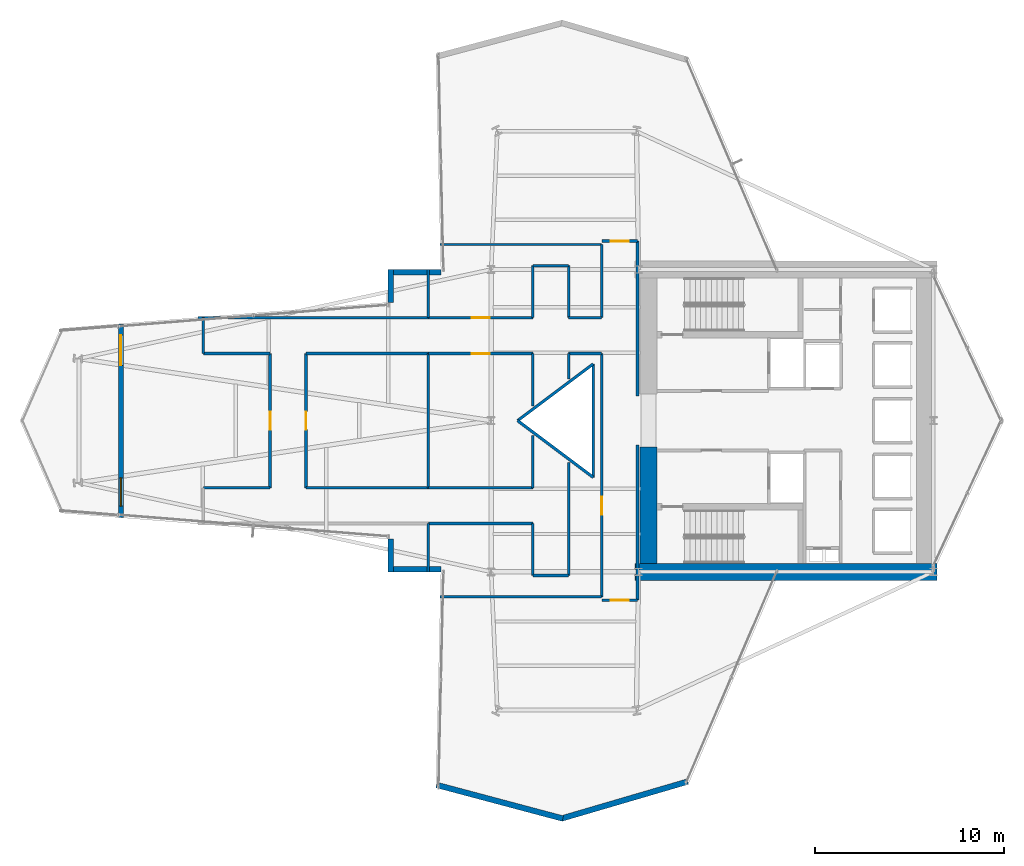
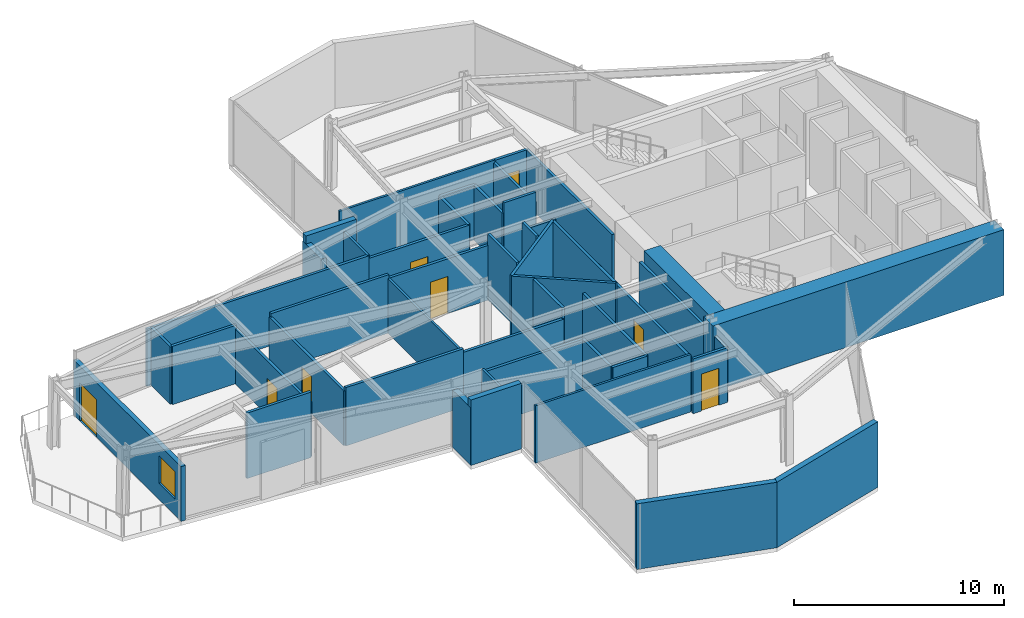
# One storey, part 23 of 27: 46 walls, 8 doors, 1 window, 9 openings.
"""IFC4 building model written with IfcOpenShell, lengths in metres."""

from ifc_helpers import new_model, si_unit, direction, frame, frame_2d, origin, place, context, subcontext, project, spatial, rectangle, extrude, material, layer, layer_set, type_object, element, fill, save


model = new_model("IFC4")

# Units and contexts
model_context = context("Model", 3, precision=1e-05, world=origin(), true_north=direction((0.0, 1.0)))
body_context = subcontext(model_context, "Body", "Model", "MODEL_VIEW")
ifc_project = project(units=[si_unit("LENGTHUNIT", "METRE"), si_unit("AREAUNIT", "SQUARE_METRE"), si_unit("VOLUMEUNIT", "CUBIC_METRE"), si_unit("PLANEANGLEUNIT", "RADIAN"), si_unit("MASSUNIT", "GRAM", prefix="KILO")], contexts=[model_context])

# Site, building, storey
site_placement = place(None, origin())
site = spatial("IfcSite", under=ifc_project, at=site_placement, CompositionType="ELEMENT")
building_placement = place(site_placement, origin())
building = spatial("IfcBuilding", under=site, at=building_placement, Name="Veymaron Broadcast Tower", CompositionType="ELEMENT")
storey_placement = place(building_placement, frame((0.0, 0.0, 86.39990234375)))
storey = spatial("IfcBuildingStorey", under=building, at=storey_placement, Name="L19", CompositionType="ELEMENT", Elevation=86.39990234375)

# Wall, openings, door, window
ifc_material_1 = material(Name="Precast concrete C40/50", Category="concrete")
ifc_layer_1 = layer(ifc_material_1, 0.25)
ifc_layer_set_1 = layer_set([ifc_layer_1], Name="Precast concrete C40/50")
wall_type_1 = type_object("IfcWallType", Name="WALL-EXT-250", PredefinedType="STANDARD", material=ifc_layer_set_1)
wall_1_placement = place(storey_placement, frame((11.60400390625, 29.125732421875, 0.0), z_axis=(0.0, 0.0, 1.0), x_axis=(0.0, -1.0, 0.0)))
wall_1 = element("IfcWall", 1, at=wall_1_placement, inside=storey, type_object=wall_type_1, Name="L19 sky-terrace threshold wall", PredefinedType="STANDARD", context=body_context, shape_type="SweptSolid", body=[
    extrude(rectangle(XDim=10.25146484375, YDim=0.25, at=frame_2d((5.125732421875, 0.0))), origin(), (0.0, 0.0, 1.0), 3.18115234375),
])
opening_1_placement = place(wall_1_placement, frame((0.60009765625, 0.0, 0.0)))
opening_1 = element("IfcOpeningElement", 2, at=opening_1_placement, cuts=wall_1, Name="Opening ED-TR1", PredefinedType="OPENING", context=body_context, shape_type="SweptSolid", body=[
    extrude(rectangle(XDim=1.60009765625, YDim=2.199951171875, at=frame_2d((0.800048828125, 1.10009765625))), frame((0.0, 0.135009765625, 0.0), z_axis=(0.0, -1.0, 0.0), x_axis=(1.0, 0.0, 0.0)), (0.0, 0.0, 1.0), 0.27001953125),
])
opening_2_placement = place(wall_1_placement, frame((8.152099609375, 0.0, 0.949951171875)))
opening_2 = element("IfcOpeningElement", 3, at=opening_2_placement, cuts=wall_1, Name="Opening WN2", PredefinedType="OPENING", context=body_context, shape_type="SweptSolid", body=[
    extrude(rectangle(XDim=1.5, YDim=1.60009765625, at=frame_2d((0.75, 0.800048828125))), frame((0.0, 0.135009765625, 0.0), z_axis=(0.0, -1.0, 0.0), x_axis=(1.0, 0.0, 0.0)), (0.0, 0.0, 1.0), 0.27001953125),
])
ifc_material_2 = material(Name="Thermally broken aluminium and low-E safety glass", Category="aluminium")
door_type_1 = type_object("IfcDoorType", Name="DOOR-TERR-1600", OperationType="DOUBLE_DOOR_SINGLE_SWING", PredefinedType="DOOR", material=ifc_material_2)
door_1_placement = place(opening_1_placement, frame((1.60009765625, 0.0, 0.0), z_axis=(0.0, 0.0, 1.0), x_axis=(-1.0, 0.0, 0.0)))
door_1 = element("IfcDoor", 4, at=door_1_placement, inside=storey, type_object=door_type_1, Name="L19 sky-terrace access door", OperationType="SINGLE_SWING_LEFT", OverallHeight=2.199951171875, OverallWidth=1.60009765625, PredefinedType="DOOR", context=body_context, shape_type="SweptSolid", body=[
    extrude(rectangle(XDim=1.60009765625, YDim=2.199951171875, at=frame_2d((0.800048828125, 1.10009765625))), frame((0.0, 0.02490234375, 0.0), z_axis=(0.0, -1.0, 0.0), x_axis=(1.0, 0.0, 0.0)), (0.0, 0.0, 1.0), 0.050048828125),
])
fill(opening_1, door_1)
ifc_material_3 = material(Name="Thermally broken aluminium and acoustic laminated glass", Category="aluminium")
window_type = type_object("IfcWindowType", Name="WIN-EXT-1500", PartitioningType="SINGLE_PANEL", PredefinedType="WINDOW", material=ifc_material_3)
window_placement = place(opening_2_placement, origin())
window = element("IfcWindow", 5, at=window_placement, inside=storey, type_object=window_type, Name="L19 sky-terrace viewing window", OverallHeight=1.60009765625, OverallWidth=1.5, PartitioningType="SINGLE_PANEL", PredefinedType="WINDOW", context=body_context, shape_type="SweptSolid", body=[
    extrude(rectangle(XDim=1.5, YDim=1.60009765625, at=frame_2d((0.75, 0.800048828125))), frame((0.0, 0.030029296875, 0.0), z_axis=(0.0, -1.0, 0.0), x_axis=(1.0, 0.0, 0.0)), (0.0, 0.0, 1.0), 0.06005859375),
])
fill(opening_2, window)

# Walls
ifc_material_4 = material(Name="Precast concrete C40/50 with mineral-wool insulation", Category="concrete")
ifc_layer_2 = layer(ifc_material_4, 0.300048828125)
ifc_layer_set_2 = layer_set([ifc_layer_2], Name="Precast concrete C40/50 with mineral-wool insulation")
wall_type_2 = type_object("IfcWallType", Name="WALL-EXT-300", PredefinedType="STANDARD", material=ifc_layer_set_2)
wall_2_placement = place(storey_placement, frame((28.53369140625, 31.860107421875, 0.0), z_axis=(0.0, 0.0, 1.0), x_axis=(-1.0, 0.0, 0.0)))
element("IfcWall", 6, at=wall_2_placement, inside=storey, type_object=wall_type_2, Name="L19 notched corner facade pier 10-1", PredefinedType="STANDARD", context=body_context, shape_type="SweptSolid", body=[
    extrude(rectangle(XDim=2.78173828125, YDim=0.300048828125, at=frame_2d((1.390869140625, 0.0))), origin(), (0.0, 0.0, 1.0), 3.81005859375),
])
for number, where, z_axis, x_axis, name in (
    (7, (25.89208984375, 32.0, 0.0), (0.0, 0.0, 1.0), (0.0, -1.0, 0.0), "L19 notched corner facade pier 11-1"),
    (8, (25.89208984375, 17.736083984375, 0.0), (0.0, 0.0, 1.0), (0.0, -1.0, 0.0), "L19 notched corner facade pier 15-1"),
):
    element("IfcWall", number, at=place(storey_placement, frame(where, z_axis=z_axis, x_axis=x_axis)), inside=storey, type_object=wall_type_2, Name=name, PredefinedType="STANDARD", context=body_context, shape_type="SweptSolid", body=[
        extrude(rectangle(XDim=1.736083984375, YDim=0.300048828125, at=frame_2d((0.8681640625, 0.0))), origin(), (0.0, 0.0, 1.0), 3.338134765625),
    ])
wall_3_placement = place(storey_placement, frame((25.751953125, 16.139892578125, 0.0), z_axis=(0.0, 0.0, 1.0), x_axis=(1.0, 0.0, 0.0)))
element("IfcWall", 9, at=wall_3_placement, inside=storey, type_object=wall_type_2, Name="L19 notched corner facade pier 16-1", PredefinedType="STANDARD", context=body_context, shape_type="SweptSolid", body=[
    extrude(rectangle(XDim=2.78173828125, YDim=0.300048828125, at=frame_2d((1.390869140625, 0.0))), origin(), (0.0, 0.0, 1.0), 3.81005859375),
])
wall_4_placement = place(storey_placement, frame((28.309814453125, 4.72119140625, 0.0), z_axis=(0.0, 0.0, 1.0), x_axis=(0.966292357614, -0.257447236569, 0.0)))
element("IfcWall", 10, at=wall_4_placement, inside=storey, type_object=wall_type_2, Name="L19 notched corner facade pier 18-1", PredefinedType="STANDARD", context=body_context, shape_type="SweptSolid", body=[
    extrude(rectangle(XDim=6.9130859375, YDim=0.300048828125, at=frame_2d((3.45654296875, 0.0))), origin(), (0.0, 0.0, 1.0), 3.81005859375),
])
wall_5_placement = place(storey_placement, frame((34.91455078125, 2.940185546875, 0.0), z_axis=(0.0, 0.0, 1.0), x_axis=(0.959627564603, 0.281273776336, 0.0)))
element("IfcWall", 11, at=wall_5_placement, inside=storey, type_object=wall_type_2, Name="L19 notched corner facade pier 19-1", PredefinedType="STANDARD", context=body_context, shape_type="SweptSolid", body=[
    extrude(rectangle(XDim=6.961181640625, YDim=0.300048828125, at=frame_2d((3.48046875, 0.0))), origin(), (0.0, 0.0, 1.0), 3.81005859375),
])

# Wall, opening, door
ifc_material_5 = material(Name="Gypsum fireboard and steel stud framing", Category="steel")
ifc_layer_3 = layer(ifc_material_5, 0.14990234375)
ifc_layer_set_3 = layer_set([ifc_layer_3], Name="Gypsum fireboard and steel stud framing")
wall_type_3 = type_object("IfcWallType", Name="WALL-FIRE-150", PredefinedType="PARTITIONING", material=ifc_layer_set_3)
wall_6_placement = place(storey_placement, frame((37.06396484375, 14.5, 0.0), z_axis=(0.0, 0.0, 1.0), x_axis=(1.0, 0.0, 0.0)))
wall_6 = element("IfcWall", 12, at=wall_6_placement, inside=storey, type_object=wall_type_3, Name="L19 partition IW-L19-P02", PredefinedType="PARTITIONING", context=body_context, shape_type="SweptSolid", body=[
    extrude(rectangle(XDim=1.885986328125, YDim=0.14990234375, at=frame_2d((0.94287109375, 0.0))), origin(), (0.0, 0.0, 1.0), 3.18115234375),
])
opening_3_placement = place(wall_6_placement, frame((0.468017578125, 0.0, 0.0)))
opening_3 = element("IfcOpeningElement", 13, at=opening_3_placement, cuts=wall_6, Name="Opening ID-RM1", PredefinedType="OPENING", context=body_context, shape_type="SweptSolid", body=[
    extrude(rectangle(XDim=0.949951171875, YDim=2.14990234375, at=frame_2d((0.47509765625, 1.074951171875))), frame((0.0, 0.0849609375, 0.0), z_axis=(0.0, -1.0, 0.0), x_axis=(1.0, 0.0, 0.0)), (0.0, 0.0, 1.0), 0.169921875),
])
ifc_material_6 = material(Name="Acoustic solid-core European oak veneer timber", Category="wood")
door_type_2 = type_object("IfcDoorType", Name="DOOR-INT-950", OperationType="NOTDEFINED", PredefinedType="DOOR", material=ifc_material_6)
door_2_placement = place(opening_3_placement, frame((0.949951171875, 0.0, 0.0), z_axis=(0.0, 0.0, 1.0), x_axis=(-1.0, 0.0, 0.0)))
door_2 = element("IfcDoor", 14, at=door_2_placement, inside=storey, type_object=door_type_2, Name="L19 door DR-L19-P02", OperationType="SINGLE_SWING_LEFT", OverallHeight=2.14990234375, OverallWidth=0.949951171875, PredefinedType="DOOR", context=body_context, shape_type="SweptSolid", body=[
    extrude(rectangle(XDim=0.949951171875, YDim=2.14990234375, at=frame_2d((0.47509765625, 1.074951171875))), frame((0.0, 0.02490234375, 0.0), z_axis=(0.0, -1.0, 0.0), x_axis=(1.0, 0.0, 0.0)), (0.0, 0.0, 1.0), 0.050048828125),
])
fill(opening_3, door_2)

wall_7_placement = place(storey_placement, frame((37.050048828125, 14.675048828125, 0.0), z_axis=(0.0, 0.0, 1.0), x_axis=(0.0, 1.0, 0.0)))
wall_7 = element("IfcWall", 15, at=wall_7_placement, inside=storey, type_object=wall_type_3, Name="L19 partition IW-L19-P03", PredefinedType="PARTITIONING", context=body_context, shape_type="SweptSolid", body=[
    extrude(rectangle(XDim=12.875, YDim=0.14990234375, at=frame_2d((6.4375, 0.0))), origin(), (0.0, 0.0, 1.0), 3.18115234375),
])
opening_4_placement = place(wall_7_placement, frame((4.342529296875, 0.0, 0.0)))
opening_4 = element("IfcOpeningElement", 16, at=opening_4_placement, cuts=wall_7, Name="Opening ID-RM1", PredefinedType="OPENING", context=body_context, shape_type="SweptSolid", body=[
    extrude(rectangle(XDim=0.949951171875, YDim=2.14990234375, at=frame_2d((0.47509765625, 1.074951171875))), frame((0.0, 0.0849609375, 0.0), z_axis=(0.0, -1.0, 0.0), x_axis=(1.0, 0.0, 0.0)), (0.0, 0.0, 1.0), 0.169921875),
])
door_3_placement = place(opening_4_placement, frame((0.949951171875, 0.0, 0.0), z_axis=(0.0, 0.0, 1.0), x_axis=(-1.0, 0.0, 0.0)))
door_3 = element("IfcDoor", 17, at=door_3_placement, inside=storey, type_object=door_type_2, Name="L19 door DR-L19-P03", OperationType="SINGLE_SWING_RIGHT", OverallHeight=2.14990234375, OverallWidth=0.949951171875, PredefinedType="DOOR", context=body_context, shape_type="SweptSolid", body=[
    extrude(rectangle(XDim=0.949951171875, YDim=2.14990234375, at=frame_2d((0.47509765625, 1.074951171875))), frame((0.0, 0.02490234375, 0.0), z_axis=(0.0, -1.0, 0.0), x_axis=(1.0, 0.0, 0.0)), (0.0, 0.0, 1.0), 0.050048828125),
])
fill(opening_4, door_3)

wall_8_placement = place(storey_placement, frame((19.5, 20.449951171875, 0.0), z_axis=(0.0, 0.0, 1.0), x_axis=(0.0, 1.0, 0.0)))
wall_8 = element("IfcWall", 18, at=wall_8_placement, inside=storey, type_object=wall_type_3, Name="L19 partition IW-L19-P12", PredefinedType="PARTITIONING", context=body_context, shape_type="SweptSolid", body=[
    extrude(rectangle(XDim=7.10009765625, YDim=0.14990234375, at=frame_2d((3.550048828125, 0.0))), origin(), (0.0, 0.0, 1.0), 3.18115234375),
])
opening_5_placement = place(wall_8_placement, frame((3.074951171875, 0.0, 0.0)))
opening_5 = element("IfcOpeningElement", 19, at=opening_5_placement, cuts=wall_8, Name="Opening ID-RM1", PredefinedType="OPENING", context=body_context, shape_type="SweptSolid", body=[
    extrude(rectangle(XDim=0.949951171875, YDim=2.14990234375, at=frame_2d((0.47509765625, 1.074951171875))), frame((0.0, 0.0849609375, 0.0), z_axis=(0.0, -1.0, 0.0), x_axis=(1.0, 0.0, 0.0)), (0.0, 0.0, 1.0), 0.169921875),
])
door_4_placement = place(opening_5_placement, origin())
door_4 = element("IfcDoor", 20, at=door_4_placement, inside=storey, type_object=door_type_2, Name="L19 door DR-L19-P12", OperationType="SINGLE_SWING_LEFT", OverallHeight=2.14990234375, OverallWidth=0.949951171875, PredefinedType="DOOR", context=body_context, shape_type="SweptSolid", body=[
    extrude(rectangle(XDim=0.949951171875, YDim=2.14990234375, at=frame_2d((0.47509765625, 1.074951171875))), frame((0.0, 0.02490234375, 0.0), z_axis=(0.0, -1.0, 0.0), x_axis=(1.0, 0.0, 0.0)), (0.0, 0.0, 1.0), 0.050048828125),
])
fill(opening_5, door_4)

wall_9_placement = place(storey_placement, frame((21.39990234375, 20.449951171875, 0.0), z_axis=(0.0, 0.0, 1.0), x_axis=(0.0, 1.0, 0.0)))
wall_9 = element("IfcWall", 21, at=wall_9_placement, inside=storey, type_object=wall_type_3, Name="L19 partition IW-L19-P17", PredefinedType="PARTITIONING", context=body_context, shape_type="SweptSolid", body=[
    extrude(rectangle(XDim=7.10009765625, YDim=0.14990234375, at=frame_2d((3.550048828125, 0.0))), origin(), (0.0, 0.0, 1.0), 3.18115234375),
])
opening_6_placement = place(wall_9_placement, frame((3.074951171875, 0.0, 0.0)))
opening_6 = element("IfcOpeningElement", 22, at=opening_6_placement, cuts=wall_9, Name="Opening ID-RM1", PredefinedType="OPENING", context=body_context, shape_type="SweptSolid", body=[
    extrude(rectangle(XDim=0.949951171875, YDim=2.14990234375, at=frame_2d((0.47509765625, 1.074951171875))), frame((0.0, 0.0849609375, 0.0), z_axis=(0.0, -1.0, 0.0), x_axis=(1.0, 0.0, 0.0)), (0.0, 0.0, 1.0), 0.169921875),
])
door_5_placement = place(opening_6_placement, frame((0.949951171875, 0.0, 0.0), z_axis=(0.0, 0.0, 1.0), x_axis=(-1.0, 0.0, 0.0)))
door_5 = element("IfcDoor", 23, at=door_5_placement, inside=storey, type_object=door_type_2, Name="L19 door DR-L19-P17", OperationType="SINGLE_SWING_RIGHT", OverallHeight=2.14990234375, OverallWidth=0.949951171875, PredefinedType="DOOR", context=body_context, shape_type="SweptSolid", body=[
    extrude(rectangle(XDim=0.949951171875, YDim=2.14990234375, at=frame_2d((0.47509765625, 1.074951171875))), frame((0.0, 0.02490234375, 0.0), z_axis=(0.0, -1.0, 0.0), x_axis=(1.0, 0.0, 0.0)), (0.0, 0.0, 1.0), 0.050048828125),
])
fill(opening_6, door_5)

wall_10_placement = place(storey_placement, frame((27.8740234375, 27.550048828125, 0.0), z_axis=(0.0, 0.0, 1.0), x_axis=(1.0, 0.0, 0.0)))
wall_10 = element("IfcWall", 24, at=wall_10_placement, inside=storey, type_object=wall_type_3, Name="L19 partition IW-L19-P20", PredefinedType="PARTITIONING", context=body_context, shape_type="SweptSolid", body=[
    extrude(rectangle(XDim=5.52587890625, YDim=0.14990234375, at=frame_2d((2.762939453125, 0.0))), origin(), (0.0, 0.0, 1.0), 3.18115234375),
])
opening_7_placement = place(wall_10_placement, frame((2.2880859375, 0.0, 0.0)))
opening_7 = element("IfcOpeningElement", 25, at=opening_7_placement, cuts=wall_10, Name="Opening ID-RM1", PredefinedType="OPENING", context=body_context, shape_type="SweptSolid", body=[
    extrude(rectangle(XDim=0.949951171875, YDim=2.14990234375, at=frame_2d((0.47509765625, 1.074951171875))), frame((0.0, 0.0849609375, 0.0), z_axis=(0.0, -1.0, 0.0), x_axis=(1.0, 0.0, 0.0)), (0.0, 0.0, 1.0), 0.169921875),
])
door_6_placement = place(opening_7_placement, frame((0.949951171875, 0.0, 0.0), z_axis=(0.0, 0.0, 1.0), x_axis=(-1.0, 0.0, 0.0)))
door_6 = element("IfcDoor", 26, at=door_6_placement, inside=storey, type_object=door_type_2, Name="L19 door DR-L19-P20", OperationType="SINGLE_SWING_LEFT", OverallHeight=2.14990234375, OverallWidth=0.949951171875, PredefinedType="DOOR", context=body_context, shape_type="SweptSolid", body=[
    extrude(rectangle(XDim=0.949951171875, YDim=2.14990234375, at=frame_2d((0.47509765625, 1.074951171875))), frame((0.0, 0.02490234375, 0.0), z_axis=(0.0, -1.0, 0.0), x_axis=(1.0, 0.0, 0.0)), (0.0, 0.0, 1.0), 0.050048828125),
])
fill(opening_7, door_6)

wall_11_placement = place(storey_placement, frame((27.8740234375, 29.449951171875, 0.0), z_axis=(0.0, 0.0, 1.0), x_axis=(1.0, 0.0, 0.0)))
wall_11 = element("IfcWall", 27, at=wall_11_placement, inside=storey, type_object=wall_type_3, Name="L19 partition IW-L19-P24", PredefinedType="PARTITIONING", context=body_context, shape_type="SweptSolid", body=[
    extrude(rectangle(XDim=5.52587890625, YDim=0.14990234375, at=frame_2d((2.762939453125, 0.0))), origin(), (0.0, 0.0, 1.0), 3.18115234375),
])
opening_8_placement = place(wall_11_placement, frame((2.2880859375, 0.0, 0.0)))
opening_8 = element("IfcOpeningElement", 28, at=opening_8_placement, cuts=wall_11, Name="Opening ID-RM1", PredefinedType="OPENING", context=body_context, shape_type="SweptSolid", body=[
    extrude(rectangle(XDim=0.949951171875, YDim=2.14990234375, at=frame_2d((0.47509765625, 1.074951171875))), frame((0.0, 0.0849609375, 0.0), z_axis=(0.0, -1.0, 0.0), x_axis=(1.0, 0.0, 0.0)), (0.0, 0.0, 1.0), 0.169921875),
])
door_7_placement = place(opening_8_placement, origin())
door_7 = element("IfcDoor", 29, at=door_7_placement, inside=storey, type_object=door_type_2, Name="L19 door DR-L19-P24", OperationType="SINGLE_SWING_LEFT", OverallHeight=2.14990234375, OverallWidth=0.949951171875, PredefinedType="DOOR", context=body_context, shape_type="SweptSolid", body=[
    extrude(rectangle(XDim=0.949951171875, YDim=2.14990234375, at=frame_2d((0.47509765625, 1.074951171875))), frame((0.0, 0.02490234375, 0.0), z_axis=(0.0, -1.0, 0.0), x_axis=(1.0, 0.0, 0.0)), (0.0, 0.0, 1.0), 0.050048828125),
])
fill(opening_8, door_7)

wall_12_placement = place(storey_placement, frame((37.06396484375, 33.5, 0.0), z_axis=(0.0, 0.0, 1.0), x_axis=(1.0, 0.0, 0.0)))
wall_12 = element("IfcWall", 30, at=wall_12_placement, inside=storey, type_object=wall_type_3, Name="L19 partition IW-L19-P31", PredefinedType="PARTITIONING", context=body_context, shape_type="SweptSolid", body=[
    extrude(rectangle(XDim=1.885986328125, YDim=0.14990234375, at=frame_2d((0.94287109375, 0.0))), origin(), (0.0, 0.0, 1.0), 3.18115234375),
])
opening_9_placement = place(wall_12_placement, frame((0.468017578125, 0.0, 0.0)))
opening_9 = element("IfcOpeningElement", 31, at=opening_9_placement, cuts=wall_12, Name="Opening ID-RM1", PredefinedType="OPENING", context=body_context, shape_type="SweptSolid", body=[
    extrude(rectangle(XDim=0.949951171875, YDim=2.14990234375, at=frame_2d((0.47509765625, 1.074951171875))), frame((0.0, 0.0849609375, 0.0), z_axis=(0.0, -1.0, 0.0), x_axis=(1.0, 0.0, 0.0)), (0.0, 0.0, 1.0), 0.169921875),
])
door_8_placement = place(opening_9_placement, origin())
door_8 = element("IfcDoor", 32, at=door_8_placement, inside=storey, type_object=door_type_2, Name="L19 door DR-L19-P31", OperationType="SINGLE_SWING_RIGHT", OverallHeight=2.14990234375, OverallWidth=0.949951171875, PredefinedType="DOOR", context=body_context, shape_type="SweptSolid", body=[
    extrude(rectangle(XDim=0.949951171875, YDim=2.14990234375, at=frame_2d((0.47509765625, 1.074951171875))), frame((0.0, 0.02490234375, 0.0), z_axis=(0.0, -1.0, 0.0), x_axis=(1.0, 0.0, 0.0)), (0.0, 0.0, 1.0), 0.050048828125),
])
fill(opening_9, door_8)

# Walls
wall_13_placement = place(storey_placement, frame((38.949951171875, 14.5, 0.0), z_axis=(0.0, 0.0, 1.0), x_axis=(0.0, 1.0, 0.0)))
element("IfcWall", 33, at=wall_13_placement, inside=storey, type_object=wall_type_3, Name="L19 partition IW-L19-P01", PredefinedType="PARTITIONING", context=body_context, shape_type="SweptSolid", body=[
    extrude(rectangle(XDim=8.199951171875, YDim=0.14990234375, at=frame_2d((4.10009765625, 0.0))), origin(), (0.0, 0.0, 1.0), 3.18115234375),
])
wall_14_placement = place(storey_placement, frame((35.300048828125, 15.800048828125, 0.0), z_axis=(0.0, 0.0, 1.0), x_axis=(0.0, 1.0, 0.0)))
element("IfcWall", 34, at=wall_14_placement, inside=storey, type_object=wall_type_3, Name="L19 partition IW-L19-P04", PredefinedType="PARTITIONING", context=body_context, shape_type="SweptSolid", body=[
    extrude(rectangle(XDim=5.987548828125, YDim=0.14990234375, at=frame_2d((2.99365234375, 0.0))), origin(), (0.0, 0.0, 1.0), 3.18115234375),
])
wall_15_placement = place(storey_placement, frame((27.8740234375, 18.550048828125, 0.0), z_axis=(0.0, 0.0, 1.0), x_axis=(1.0, 0.0, 0.0)))
element("IfcWall", 35, at=wall_15_placement, inside=storey, type_object=wall_type_3, Name="L19 partition IW-L19-P05", PredefinedType="PARTITIONING", context=body_context, shape_type="SweptSolid", body=[
    extrude(rectangle(XDim=5.52587890625, YDim=0.14990234375, at=frame_2d((2.762939453125, 0.0))), origin(), (0.0, 0.0, 1.0), 3.18115234375),
])
wall_16_placement = place(storey_placement, frame((33.39990234375, 15.800048828125, 0.0), z_axis=(0.0, 0.0, 1.0), x_axis=(0.0, 1.0, 0.0)))
element("IfcWall", 36, at=wall_16_placement, inside=storey, type_object=wall_type_3, Name="L19 partition IW-L19-P06", PredefinedType="PARTITIONING", context=body_context, shape_type="SweptSolid", body=[
    extrude(rectangle(XDim=2.75, YDim=0.14990234375, at=frame_2d((1.375, 0.0))), origin(), (0.0, 0.0, 1.0), 3.18115234375),
])
wall_17_placement = place(storey_placement, frame((33.39990234375, 15.800048828125, 0.0), z_axis=(0.0, 0.0, 1.0), x_axis=(1.0, 0.0, 0.0)))
element("IfcWall", 37, at=wall_17_placement, inside=storey, type_object=wall_type_3, Name="L19 partition IW-L19-P07", PredefinedType="PARTITIONING", context=body_context, shape_type="SweptSolid", body=[
    extrude(rectangle(XDim=1.900146484375, YDim=0.14990234375, at=frame_2d((0.9501953125, 0.0))), origin(), (0.0, 0.0, 1.0), 3.18115234375),
])
wall_18_placement = place(storey_placement, frame((35.300048828125, 27.550048828125, 0.0), z_axis=(0.0, 0.0, 1.0), x_axis=(1.0, 0.0, 0.0)))
element("IfcWall", 38, at=wall_18_placement, inside=storey, type_object=wall_type_3, Name="L19 partition IW-L19-P08", PredefinedType="PARTITIONING", context=body_context, shape_type="SweptSolid", body=[
    extrude(rectangle(XDim=1.75, YDim=0.14990234375, at=frame_2d((0.875, 0.0))), origin(), (0.0, 0.0, 1.0), 3.39111328125),
])
wall_19_placement = place(storey_placement, frame((35.300048828125, 26.21240234375, 0.0), z_axis=(0.0, 0.0, 1.0), x_axis=(0.0, 1.0, 0.0)))
element("IfcWall", 39, at=wall_19_placement, inside=storey, type_object=wall_type_3, Name="L19 partition IW-L19-P09", PredefinedType="PARTITIONING", context=body_context, shape_type="SweptSolid", body=[
    extrude(rectangle(XDim=1.337646484375, YDim=0.14990234375, at=frame_2d((0.6689453125, 0.0))), origin(), (0.0, 0.0, 1.0), 3.81005859375),
])
wall_20_placement = place(storey_placement, frame((15.673583984375, 29.449951171875, 0.0), z_axis=(0.0, 0.0, 1.0), x_axis=(1.0, 0.0, 0.0)))
element("IfcWall", 40, at=wall_20_placement, inside=storey, type_object=wall_type_3, Name="L19 partition IW-L19-P11", PredefinedType="PARTITIONING", context=body_context, shape_type="SweptSolid", body=[
    extrude(rectangle(XDim=12.200439453125, YDim=0.14990234375, at=frame_2d((6.10009765625, 0.0))), origin(), (0.0, 0.0, 1.0), 3.338134765625),
])
wall_21_placement = place(storey_placement, frame((15.964111328125, 20.449951171875, 0.0), z_axis=(0.0, 0.0, 1.0), x_axis=(1.0, 0.0, 0.0)))
element("IfcWall", 41, at=wall_21_placement, inside=storey, type_object=wall_type_3, Name="L19 partition IW-L19-P13", PredefinedType="PARTITIONING", context=body_context, shape_type="SweptSolid", body=[
    extrude(rectangle(XDim=3.535888671875, YDim=0.14990234375, at=frame_2d((1.76806640625, 0.0))), origin(), (0.0, 0.0, 1.0), 3.81005859375),
])
wall_22_placement = place(storey_placement, frame((15.964111328125, 27.550048828125, 0.0), z_axis=(0.0, 0.0, 1.0), x_axis=(1.0, 0.0, 0.0)))
element("IfcWall", 42, at=wall_22_placement, inside=storey, type_object=wall_type_3, Name="L19 partition IW-L19-P14", PredefinedType="PARTITIONING", context=body_context, shape_type="SweptSolid", body=[
    extrude(rectangle(XDim=3.535888671875, YDim=0.14990234375, at=frame_2d((1.76806640625, 0.0))), origin(), (0.0, 0.0, 1.0), 3.39111328125),
])
wall_23_placement = place(storey_placement, frame((15.964111328125, 27.550048828125, 0.0), z_axis=(0.0, 0.0, 1.0), x_axis=(0.0, 1.0, 0.0)))
element("IfcWall", 43, at=wall_23_placement, inside=storey, type_object=wall_type_3, Name="L19 partition IW-L19-P16", PredefinedType="PARTITIONING", context=body_context, shape_type="SweptSolid", body=[
    extrude(rectangle(XDim=1.89990234375, YDim=0.14990234375, at=frame_2d((0.949951171875, 0.0))), origin(), (0.0, 0.0, 1.0), 3.338134765625),
])
for number, where, z_axis, x_axis, name in (
    (44, (21.39990234375, 27.550048828125, 0.0), (0.0, 0.0, 1.0), (1.0, 0.0, 0.0), "L19 partition IW-L19-P18"),
    (45, (21.39990234375, 20.449951171875, 0.0), (0.0, 0.0, 1.0), (1.0, 0.0, 0.0), "L19 partition IW-L19-P19"),
):
    element("IfcWall", number, at=place(storey_placement, frame(where, z_axis=z_axis, x_axis=x_axis)), inside=storey, type_object=wall_type_3, Name=name, PredefinedType="PARTITIONING", context=body_context, shape_type="SweptSolid", body=[
        extrude(rectangle(XDim=6.47412109375, YDim=0.14990234375, at=frame_2d((3.237060546875, 0.0))), origin(), (0.0, 0.0, 1.0), 3.39111328125),
    ])
wall_24_placement = place(storey_placement, frame((27.8740234375, 20.449951171875, 0.0), z_axis=(0.0, 0.0, 1.0), x_axis=(1.0, 0.0, 0.0)))
element("IfcWall", 46, at=wall_24_placement, inside=storey, type_object=wall_type_3, Name="L19 partition IW-L19-P21", PredefinedType="PARTITIONING", context=body_context, shape_type="SweptSolid", body=[
    extrude(rectangle(XDim=5.52587890625, YDim=0.14990234375, at=frame_2d((2.762939453125, 0.0))), origin(), (0.0, 0.0, 1.0), 3.18115234375),
])
for number, where, z_axis, x_axis, name in (
    (47, (33.39990234375, 24.78759765625, 0.0), (0.0, 0.0, 1.0), (0.0, 1.0, 0.0), "L19 partition IW-L19-P22"),
    (48, (33.39990234375, 20.449951171875, 0.0), (0.0, 0.0, 1.0), (0.0, 1.0, 0.0), "L19 partition IW-L19-P23"),
):
    element("IfcWall", number, at=place(storey_placement, frame(where, z_axis=z_axis, x_axis=x_axis)), inside=storey, type_object=wall_type_3, Name=name, PredefinedType="PARTITIONING", context=body_context, shape_type="SweptSolid", body=[
        extrude(rectangle(XDim=2.762451171875, YDim=0.14990234375, at=frame_2d((1.38134765625, 0.0))), origin(), (0.0, 0.0, 1.0), 3.81005859375),
    ])
wall_25_placement = place(storey_placement, frame((37.050048828125, 29.449951171875, 0.0), z_axis=(0.0, 0.0, 1.0), x_axis=(0.0, 1.0, 0.0)))
element("IfcWall", 49, at=wall_25_placement, inside=storey, type_object=wall_type_3, Name="L19 partition IW-L19-P25", PredefinedType="PARTITIONING", context=body_context, shape_type="SweptSolid", body=[
    extrude(rectangle(XDim=3.875, YDim=0.14990234375, at=frame_2d((1.9375, 0.0))), origin(), (0.0, 0.0, 1.0), 3.18115234375),
])
for number, where, z_axis, x_axis, name in (
    (50, (33.39990234375, 29.449951171875, 0.0), (0.0, 0.0, 1.0), (0.0, 1.0, 0.0), "L19 partition IW-L19-P26"),
    (51, (35.300048828125, 29.449951171875, 0.0), (0.0, 0.0, 1.0), (0.0, 1.0, 0.0), "L19 partition IW-L19-P27"),
):
    element("IfcWall", number, at=place(storey_placement, frame(where, z_axis=z_axis, x_axis=x_axis)), inside=storey, type_object=wall_type_3, Name=name, PredefinedType="PARTITIONING", context=body_context, shape_type="SweptSolid", body=[
        extrude(rectangle(XDim=2.75, YDim=0.14990234375, at=frame_2d((1.375, 0.0))), origin(), (0.0, 0.0, 1.0), 3.18115234375),
    ])
wall_26_placement = place(storey_placement, frame((33.39990234375, 32.199951171875, 0.0), z_axis=(0.0, 0.0, 1.0), x_axis=(1.0, 0.0, 0.0)))
element("IfcWall", 52, at=wall_26_placement, inside=storey, type_object=wall_type_3, Name="L19 partition IW-L19-P28", PredefinedType="PARTITIONING", context=body_context, shape_type="SweptSolid", body=[
    extrude(rectangle(XDim=1.900146484375, YDim=0.14990234375, at=frame_2d((0.9501953125, 0.0))), origin(), (0.0, 0.0, 1.0), 3.18115234375),
])
wall_27_placement = place(storey_placement, frame((35.300048828125, 29.449951171875, 0.0), z_axis=(0.0, 0.0, 1.0), x_axis=(1.0, 0.0, 0.0)))
element("IfcWall", 53, at=wall_27_placement, inside=storey, type_object=wall_type_3, Name="L19 partition IW-L19-P29", PredefinedType="PARTITIONING", context=body_context, shape_type="SweptSolid", body=[
    extrude(rectangle(XDim=1.75, YDim=0.14990234375, at=frame_2d((0.875, 0.0))), origin(), (0.0, 0.0, 1.0), 3.81005859375),
])
wall_28_placement = place(storey_placement, frame((38.949951171875, 25.300048828125, 0.0), z_axis=(0.0, 0.0, 1.0), x_axis=(0.0, 1.0, 0.0)))
element("IfcWall", 54, at=wall_28_placement, inside=storey, type_object=wall_type_3, Name="L19 partition IW-L19-P30", PredefinedType="PARTITIONING", context=body_context, shape_type="SweptSolid", body=[
    extrude(rectangle(XDim=8.199951171875, YDim=0.14990234375, at=frame_2d((4.10009765625, 0.0))), origin(), (0.0, 0.0, 1.0), 3.18115234375),
])
ifc_material_7 = material(Name="Fire-rated laminated glass in aluminium frame", Category="aluminium")
ifc_layer_4 = layer(ifc_material_7, 0.14990234375)
ifc_layer_set_4 = layer_set([ifc_layer_4], Name="Fire-rated laminated glass in aluminium frame")
wall_type_4 = type_object("IfcWallType", Name="WALL-GLZ-150", PredefinedType="MOVABLE", material=ifc_layer_set_4)
wall_29_placement = place(storey_placement, frame((32.60009765625, 24.0, 0.0), z_axis=(0.0, 0.0, 1.0), x_axis=(0.8, -0.6, 0.0)))
element("IfcWall", 55, at=wall_29_placement, inside=storey, type_object=wall_type_4, Name="L19 partition IW-L19-ATR1", PredefinedType="MOVABLE", context=body_context, shape_type="SweptSolid", body=[
    extrude(rectangle(XDim=5.0, YDim=0.14990234375, at=frame_2d((2.5, 0.0))), origin(), (0.0, 0.0, 1.0), 3.81005859375),
])
wall_30_placement = place(storey_placement, frame((36.60009765625, 21.0, 0.0), z_axis=(0.0, 0.0, 1.0), x_axis=(0.0, 1.0, 0.0)))
element("IfcWall", 56, at=wall_30_placement, inside=storey, type_object=wall_type_4, Name="L19 partition IW-L19-ATR2", PredefinedType="MOVABLE", context=body_context, shape_type="SweptSolid", body=[
    extrude(rectangle(XDim=6.0, YDim=0.14990234375, at=frame_2d((3.0, 0.0))), origin(), (0.0, 0.0, 1.0), 3.81005859375),
])
wall_31_placement = place(storey_placement, frame((36.60009765625, 27.0, 0.0), z_axis=(0.0, 0.0, 1.0), x_axis=(-0.8, -0.6, 0.0)))
element("IfcWall", 57, at=wall_31_placement, inside=storey, type_object=wall_type_4, Name="L19 partition IW-L19-ATR3", PredefinedType="MOVABLE", context=body_context, shape_type="SweptSolid", body=[
    extrude(rectangle(XDim=5.0, YDim=0.14990234375, at=frame_2d((2.5, 0.0))), origin(), (0.0, 0.0, 1.0), 3.81005859375),
])
ifc_material_8 = material(Name="Acoustic gypsum board and galvanized stud", Category="gypsum")
ifc_layer_5 = layer(ifc_material_8, 0.1201171875)
ifc_layer_set_5 = layer_set([ifc_layer_5], Name="Acoustic gypsum board and galvanized stud")
wall_type_5 = type_object("IfcWallType", Name="WALL-PART-120", PredefinedType="PARTITIONING", material=ifc_layer_set_5)
wall_32_placement = place(storey_placement, frame((28.503662109375, 14.675048828125, 0.0), z_axis=(0.0, 0.0, 1.0), x_axis=(1.0, 0.0, 0.0)))
element("IfcWall", 58, at=wall_32_placement, inside=storey, type_object=wall_type_5, Name="L19 partition IW-L19-P32", PredefinedType="PARTITIONING", context=body_context, shape_type="SweptSolid", body=[
    extrude(rectangle(XDim=8.54638671875, YDim=0.1201171875, at=frame_2d((4.273193359375, 0.0))), origin(), (0.0, 0.0, 1.0), 3.338134765625),
])
for number, where, z_axis, x_axis, name in (
    (59, (27.8740234375, 16.0, 0.0), (0.0, 0.0, 1.0), (0.0, 1.0, 0.0), "L19 partition IW-L19-P33"),
    (60, (27.8740234375, 29.449951171875, 0.0), (0.0, 0.0, 1.0), (0.0, 1.0, 0.0), "L19 partition IW-L19-P34"),
):
    element("IfcWall", number, at=place(storey_placement, frame(where, z_axis=z_axis, x_axis=x_axis)), inside=storey, type_object=wall_type_5, Name=name, PredefinedType="PARTITIONING", context=body_context, shape_type="SweptSolid", body=[
        extrude(rectangle(XDim=2.550048828125, YDim=0.1201171875, at=frame_2d((1.27490234375, 0.0))), origin(), (0.0, 0.0, 1.0), 3.338134765625),
    ])
wall_33_placement = place(storey_placement, frame((27.8740234375, 20.449951171875, 0.0), z_axis=(0.0, 0.0, 1.0), x_axis=(0.0, 1.0, 0.0)))
element("IfcWall", 61, at=wall_33_placement, inside=storey, type_object=wall_type_5, Name="L19 partition IW-L19-P35", PredefinedType="PARTITIONING", context=body_context, shape_type="SweptSolid", body=[
    extrude(rectangle(XDim=7.10009765625, YDim=0.1201171875, at=frame_2d((3.550048828125, 0.0))), origin(), (0.0, 0.0, 1.0), 3.18115234375),
])
wall_34_placement = place(storey_placement, frame((28.503662109375, 33.324951171875, 0.0), z_axis=(0.0, 0.0, 1.0), x_axis=(1.0, 0.0, 0.0)))
element("IfcWall", 62, at=wall_34_placement, inside=storey, type_object=wall_type_5, Name="L19 partition IW-L19-P36", PredefinedType="PARTITIONING", context=body_context, shape_type="SweptSolid", body=[
    extrude(rectangle(XDim=8.54638671875, YDim=0.1201171875, at=frame_2d((4.273193359375, 0.0))), origin(), (0.0, 0.0, 1.0), 3.338134765625),
])
ifc_material_9 = material(Name="Concrete C70/85", Category="concrete")
ifc_layer_6 = layer(ifc_material_9, 0.89990234375)
ifc_layer_set_6 = layer_set([ifc_layer_6], Name="Concrete C70/85")
wall_type_6 = type_object("IfcWallType", Name="WALL-SHEAR-900", PredefinedType="SHEAR", material=ifc_layer_set_6)
wall_35_placement = place(storey_placement, frame((38.800048828125, 16.0, 0.0), z_axis=(0.0, 0.0, 1.0), x_axis=(1.0, 0.0, 0.0)))
element("IfcWall", 63, at=wall_35_placement, inside=storey, type_object=wall_type_6, Name="L19 Core Wall south shear", PredefinedType="SHEAR", context=body_context, shape_type="SweptSolid", body=[
    extrude(rectangle(XDim=16.0, YDim=0.89990234375, at=frame_2d((8.0, 0.0))), origin(), (0.0, 0.0, 1.0), 3.81005859375),
])
wall_36_placement = place(storey_placement, frame((39.530029296875, 16.449951171875, 0.0), z_axis=(0.0, 0.0, 1.0), x_axis=(0.0, 1.0, 0.0)))
element("IfcWall", 64, at=wall_36_placement, inside=storey, type_object=wall_type_6, Name="L19 Core Wall west-south shear", PredefinedType="SHEAR", context=body_context, shape_type="SweptSolid", body=[
    extrude(rectangle(XDim=6.150146484375, YDim=0.89990234375, at=frame_2d((3.0751953125, 0.0))), origin(), (0.0, 0.0, 1.0), 3.81005859375),
])

save(model, "model.ifc")
